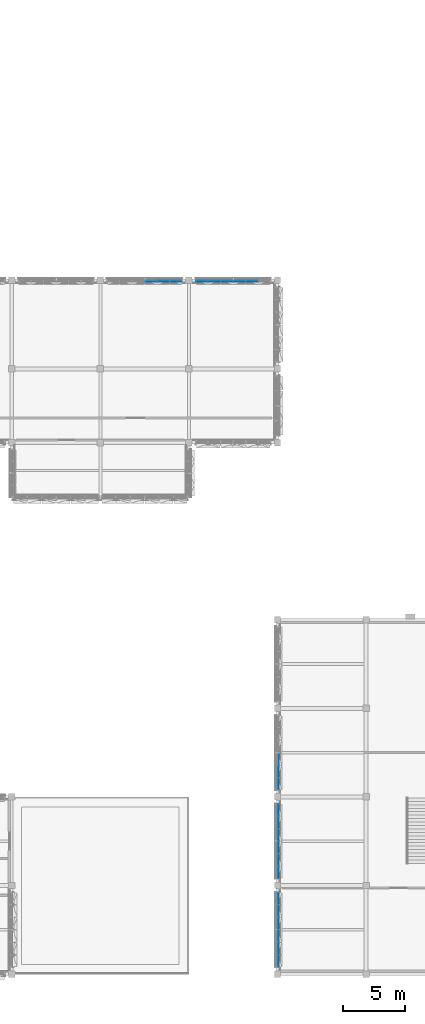
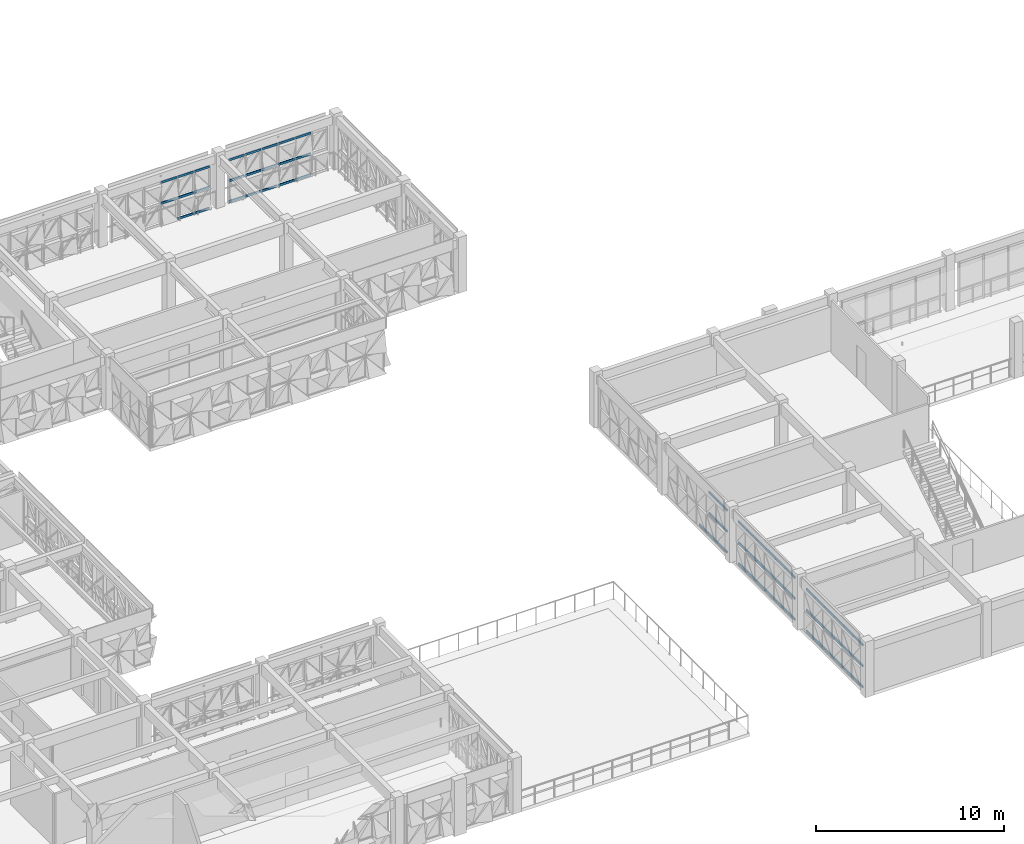
# One storey, part 26 of 99: 66 members, 5 elements without a shape of their own.
"""IFC4 building model written with IfcOpenShell, lengths in metres."""

from ifc_helpers import new_model, si_unit, direction, frame, origin, origin_2d, place, context, subcontext, project, spatial, rectangle, extrude, material, material_profile, profile_set, type_object, element, aggregate, save


model = new_model("IFC4")

# Units and contexts
model_context = context("Model", 3, precision=1e-05, world=origin(), true_north=direction((0.0, 1.0)))
body_context = subcontext(model_context, "Body", "Model", "MODEL_VIEW")
ifc_project = project(units=[si_unit("LENGTHUNIT", "METRE"), si_unit("AREAUNIT", "SQUARE_METRE"), si_unit("VOLUMEUNIT", "CUBIC_METRE"), si_unit("PLANEANGLEUNIT", "RADIAN"), si_unit("MASSUNIT", "GRAM", prefix="KILO")], contexts=[model_context])

# Site, building, storey
site_placement = place(None, origin())
site = spatial("IfcSite", under=ifc_project, at=site_placement, CompositionType="ELEMENT")
building_placement = place(site_placement, origin())
building = spatial("IfcBuilding", under=site, at=building_placement, Name="Alvorim Cloister Faculty of Sciences", CompositionType="ELEMENT")
storey_placement = place(building_placement, frame((0.0, 0.0, 12.14990234375)))
storey = spatial("IfcBuildingStorey", under=building, at=storey_placement, Name="L03", CompositionType="ELEMENT", Elevation=12.14990234375)

# Curtain wall, members
ifc_material_1 = material(Name="Aluminium and Low-E Glass Curtain Wall", Category="aluminium")
curtain_wall_type = type_object("IfcCurtainWallType", Name="CW-TRI-6120x2850", PredefinedType="USERDEFINED", material=ifc_material_1)
curtain_wall_1_placement = place(storey_placement, origin())
curtain_wall_1 = element("IfcCurtainWall", 1, at=curtain_wall_1_placement, inside=storey, type_object=curtain_wall_type, Name="L03 Diagonal Cassette Curtain Wall CW-0128", ObjectType="UNITISED CURTAIN WALL", PredefinedType="USERDEFINED")
ifc_material_2 = material(Name="Aluminium Alloy 6063-T6", Category="aluminium")
ifc_material_profile = material_profile(ifc_material_2, rectangle(XDim=0.06494140625, YDim=0.139892578125, at=origin_2d()), Name="ALU-TRN-65x140")
ifc_profile_set = profile_set([ifc_material_profile], Name="Aluminium Alloy 6063-T6")
member_type = type_object("IfcMemberType", Name="CW-TRN-65x140", PredefinedType="USERDEFINED", material=ifc_profile_set)
member_1_placement = place(storey_placement, frame((54.032470703125, 56.31005859375, 1.425048828125), z_axis=(1.0, 0.0, 0.0), x_axis=(0.0, 1.0, 0.0)))
member_1 = element("IfcMember", 2, at=member_1_placement, type_object=member_type, Name="CW-0128 Transom 4.2", ObjectType="TRANSOM", PredefinedType="USERDEFINED", context=body_context, shape_type="SweptSolid", body=[
    extrude(rectangle(XDim=0.06494140625, YDim=0.139892578125, at=origin_2d()), origin(), (0.0, 0.0, 1.0), 0.955078125),
])
member_2_placement = place(storey_placement, frame((54.032470703125, 56.31005859375, 2.780029296875), z_axis=(1.0, 0.0, 0.0), x_axis=(0.0, 1.0, 0.0)))
member_2 = element("IfcMember", 3, at=member_2_placement, type_object=member_type, Name="CW-0128 Transom 4.3", ObjectType="TRANSOM", PredefinedType="USERDEFINED", context=body_context, shape_type="SweptSolid", body=[
    extrude(rectangle(XDim=0.06494140625, YDim=0.139892578125, at=origin_2d()), origin(), (0.0, 0.0, 1.0), 0.955078125),
])
member_3_placement = place(storey_placement, frame((55.052490234375, 56.31005859375, 0.070068359375), z_axis=(1.0, 0.0, 0.0), x_axis=(0.0, 1.0, 0.0)))
member_3 = element("IfcMember", 4, at=member_3_placement, type_object=member_type, Name="CW-0128 Transom 5.1", ObjectType="TRANSOM", PredefinedType="USERDEFINED", context=body_context, shape_type="SweptSolid", body=[
    extrude(rectangle(XDim=0.06494140625, YDim=0.139892578125, at=origin_2d()), origin(), (0.0, 0.0, 1.0), 0.955078125),
])
member_4_placement = place(storey_placement, frame((55.052490234375, 56.31005859375, 1.425048828125), z_axis=(1.0, 0.0, 0.0), x_axis=(0.0, 1.0, 0.0)))
member_4 = element("IfcMember", 5, at=member_4_placement, type_object=member_type, Name="CW-0128 Transom 5.2", ObjectType="TRANSOM", PredefinedType="USERDEFINED", context=body_context, shape_type="SweptSolid", body=[
    extrude(rectangle(XDim=0.06494140625, YDim=0.139892578125, at=origin_2d()), origin(), (0.0, 0.0, 1.0), 0.955078125),
])
member_5_placement = place(storey_placement, frame((55.052490234375, 56.31005859375, 2.780029296875), z_axis=(1.0, 0.0, 0.0), x_axis=(0.0, 1.0, 0.0)))
member_5 = element("IfcMember", 6, at=member_5_placement, type_object=member_type, Name="CW-0128 Transom 5.3", ObjectType="TRANSOM", PredefinedType="USERDEFINED", context=body_context, shape_type="SweptSolid", body=[
    extrude(rectangle(XDim=0.06494140625, YDim=0.139892578125, at=origin_2d()), origin(), (0.0, 0.0, 1.0), 0.955078125),
])
member_6_placement = place(storey_placement, frame((56.072509765625, 56.31005859375, 0.070068359375), z_axis=(1.0, 0.0, 0.0), x_axis=(0.0, 1.0, 0.0)))
member_6 = element("IfcMember", 7, at=member_6_placement, type_object=member_type, Name="CW-0128 Transom 6.1", ObjectType="TRANSOM", PredefinedType="USERDEFINED", context=body_context, shape_type="SweptSolid", body=[
    extrude(rectangle(XDim=0.06494140625, YDim=0.139892578125, at=origin_2d()), origin(), (0.0, 0.0, 1.0), 0.922607421875),
])
member_7_placement = place(storey_placement, frame((56.072509765625, 56.31005859375, 1.425048828125), z_axis=(1.0, 0.0, 0.0), x_axis=(0.0, 1.0, 0.0)))
member_7 = element("IfcMember", 8, at=member_7_placement, type_object=member_type, Name="CW-0128 Transom 6.2", ObjectType="TRANSOM", PredefinedType="USERDEFINED", context=body_context, shape_type="SweptSolid", body=[
    extrude(rectangle(XDim=0.06494140625, YDim=0.139892578125, at=origin_2d()), origin(), (0.0, 0.0, 1.0), 0.922607421875),
])
member_8_placement = place(storey_placement, frame((56.072509765625, 56.31005859375, 2.780029296875), z_axis=(1.0, 0.0, 0.0), x_axis=(0.0, 1.0, 0.0)))
member_8 = element("IfcMember", 9, at=member_8_placement, type_object=member_type, Name="CW-0128 Transom 6.3", ObjectType="TRANSOM", PredefinedType="USERDEFINED", context=body_context, shape_type="SweptSolid", body=[
    extrude(rectangle(XDim=0.06494140625, YDim=0.139892578125, at=origin_2d()), origin(), (0.0, 0.0, 1.0), 0.922607421875),
])
aggregate(curtain_wall_1, [member_1, member_2, member_3, member_4, member_5, member_6, member_7, member_8])

curtain_wall_2_placement = place(storey_placement, origin())
curtain_wall_2 = element("IfcCurtainWall", 10, at=curtain_wall_2_placement, inside=storey, type_object=curtain_wall_type, Name="L03 Diagonal Cassette Curtain Wall CW-0129", ObjectType="UNITISED CURTAIN WALL", PredefinedType="USERDEFINED")
member_9_placement = place(storey_placement, frame((58.205078125, 56.31005859375, 0.070068359375), z_axis=(1.0, 0.0, 0.0), x_axis=(0.0, 1.0, 0.0)))
member_9 = element("IfcMember", 11, at=member_9_placement, type_object=member_type, Name="CW-0129 Transom 1.1", ObjectType="TRANSOM", PredefinedType="USERDEFINED", context=body_context, shape_type="SweptSolid", body=[
    extrude(rectangle(XDim=0.06494140625, YDim=0.139892578125, at=origin_2d()), origin(), (0.0, 0.0, 1.0), 0.92236328125),
])
member_10_placement = place(storey_placement, frame((58.205078125, 56.31005859375, 1.425048828125), z_axis=(1.0, 0.0, 0.0), x_axis=(0.0, 1.0, 0.0)))
member_10 = element("IfcMember", 12, at=member_10_placement, type_object=member_type, Name="CW-0129 Transom 1.2", ObjectType="TRANSOM", PredefinedType="USERDEFINED", context=body_context, shape_type="SweptSolid", body=[
    extrude(rectangle(XDim=0.06494140625, YDim=0.139892578125, at=origin_2d()), origin(), (0.0, 0.0, 1.0), 0.92236328125),
])
member_11_placement = place(storey_placement, frame((58.205078125, 56.31005859375, 2.780029296875), z_axis=(1.0, 0.0, 0.0), x_axis=(0.0, 1.0, 0.0)))
member_11 = element("IfcMember", 13, at=member_11_placement, type_object=member_type, Name="CW-0129 Transom 1.3", ObjectType="TRANSOM", PredefinedType="USERDEFINED", context=body_context, shape_type="SweptSolid", body=[
    extrude(rectangle(XDim=0.06494140625, YDim=0.139892578125, at=origin_2d()), origin(), (0.0, 0.0, 1.0), 0.92236328125),
])
member_12_placement = place(storey_placement, frame((59.1923828125, 56.31005859375, 0.070068359375), z_axis=(1.0, 0.0, 0.0), x_axis=(0.0, 1.0, 0.0)))
member_12 = element("IfcMember", 14, at=member_12_placement, type_object=member_type, Name="CW-0129 Transom 2.1", ObjectType="TRANSOM", PredefinedType="USERDEFINED", context=body_context, shape_type="SweptSolid", body=[
    extrude(rectangle(XDim=0.06494140625, YDim=0.139892578125, at=origin_2d()), origin(), (0.0, 0.0, 1.0), 0.955078125),
])
member_13_placement = place(storey_placement, frame((59.1923828125, 56.31005859375, 1.425048828125), z_axis=(1.0, 0.0, 0.0), x_axis=(0.0, 1.0, 0.0)))
member_13 = element("IfcMember", 15, at=member_13_placement, type_object=member_type, Name="CW-0129 Transom 2.2", ObjectType="TRANSOM", PredefinedType="USERDEFINED", context=body_context, shape_type="SweptSolid", body=[
    extrude(rectangle(XDim=0.06494140625, YDim=0.139892578125, at=origin_2d()), origin(), (0.0, 0.0, 1.0), 0.955078125),
])
member_14_placement = place(storey_placement, frame((59.1923828125, 56.31005859375, 2.780029296875), z_axis=(1.0, 0.0, 0.0), x_axis=(0.0, 1.0, 0.0)))
member_14 = element("IfcMember", 16, at=member_14_placement, type_object=member_type, Name="CW-0129 Transom 2.3", ObjectType="TRANSOM", PredefinedType="USERDEFINED", context=body_context, shape_type="SweptSolid", body=[
    extrude(rectangle(XDim=0.06494140625, YDim=0.139892578125, at=origin_2d()), origin(), (0.0, 0.0, 1.0), 0.955078125),
])
member_15_placement = place(storey_placement, frame((60.21240234375, 56.31005859375, 0.070068359375), z_axis=(1.0, 0.0, 0.0), x_axis=(0.0, 1.0, 0.0)))
member_15 = element("IfcMember", 17, at=member_15_placement, type_object=member_type, Name="CW-0129 Transom 3.1", ObjectType="TRANSOM", PredefinedType="USERDEFINED", context=body_context, shape_type="SweptSolid", body=[
    extrude(rectangle(XDim=0.06494140625, YDim=0.139892578125, at=origin_2d()), origin(), (0.0, 0.0, 1.0), 0.955078125),
])
member_16_placement = place(storey_placement, frame((60.21240234375, 56.31005859375, 1.425048828125), z_axis=(1.0, 0.0, 0.0), x_axis=(0.0, 1.0, 0.0)))
member_16 = element("IfcMember", 18, at=member_16_placement, type_object=member_type, Name="CW-0129 Transom 3.2", ObjectType="TRANSOM", PredefinedType="USERDEFINED", context=body_context, shape_type="SweptSolid", body=[
    extrude(rectangle(XDim=0.06494140625, YDim=0.139892578125, at=origin_2d()), origin(), (0.0, 0.0, 1.0), 0.955078125),
])
member_17_placement = place(storey_placement, frame((60.21240234375, 56.31005859375, 2.780029296875), z_axis=(1.0, 0.0, 0.0), x_axis=(0.0, 1.0, 0.0)))
member_17 = element("IfcMember", 19, at=member_17_placement, type_object=member_type, Name="CW-0129 Transom 3.3", ObjectType="TRANSOM", PredefinedType="USERDEFINED", context=body_context, shape_type="SweptSolid", body=[
    extrude(rectangle(XDim=0.06494140625, YDim=0.139892578125, at=origin_2d()), origin(), (0.0, 0.0, 1.0), 0.955078125),
])
member_18_placement = place(storey_placement, frame((61.232421875, 56.31005859375, 0.070068359375), z_axis=(1.0, 0.0, 0.0), x_axis=(0.0, 1.0, 0.0)))
member_18 = element("IfcMember", 20, at=member_18_placement, type_object=member_type, Name="CW-0129 Transom 4.1", ObjectType="TRANSOM", PredefinedType="USERDEFINED", context=body_context, shape_type="SweptSolid", body=[
    extrude(rectangle(XDim=0.06494140625, YDim=0.139892578125, at=origin_2d()), origin(), (0.0, 0.0, 1.0), 0.955078125),
])
member_19_placement = place(storey_placement, frame((61.232421875, 56.31005859375, 1.425048828125), z_axis=(1.0, 0.0, 0.0), x_axis=(0.0, 1.0, 0.0)))
member_19 = element("IfcMember", 21, at=member_19_placement, type_object=member_type, Name="CW-0129 Transom 4.2", ObjectType="TRANSOM", PredefinedType="USERDEFINED", context=body_context, shape_type="SweptSolid", body=[
    extrude(rectangle(XDim=0.06494140625, YDim=0.139892578125, at=origin_2d()), origin(), (0.0, 0.0, 1.0), 0.955078125),
])
member_20_placement = place(storey_placement, frame((61.232421875, 56.31005859375, 2.780029296875), z_axis=(1.0, 0.0, 0.0), x_axis=(0.0, 1.0, 0.0)))
member_20 = element("IfcMember", 22, at=member_20_placement, type_object=member_type, Name="CW-0129 Transom 4.3", ObjectType="TRANSOM", PredefinedType="USERDEFINED", context=body_context, shape_type="SweptSolid", body=[
    extrude(rectangle(XDim=0.06494140625, YDim=0.139892578125, at=origin_2d()), origin(), (0.0, 0.0, 1.0), 0.955078125),
])
member_21_placement = place(storey_placement, frame((62.25244140625, 56.31005859375, 0.070068359375), z_axis=(1.0, 0.0, 0.0), x_axis=(0.0, 1.0, 0.0)))
member_21 = element("IfcMember", 23, at=member_21_placement, type_object=member_type, Name="CW-0129 Transom 5.1", ObjectType="TRANSOM", PredefinedType="USERDEFINED", context=body_context, shape_type="SweptSolid", body=[
    extrude(rectangle(XDim=0.06494140625, YDim=0.139892578125, at=origin_2d()), origin(), (0.0, 0.0, 1.0), 0.955078125),
])
member_22_placement = place(storey_placement, frame((62.25244140625, 56.31005859375, 1.425048828125), z_axis=(1.0, 0.0, 0.0), x_axis=(0.0, 1.0, 0.0)))
member_22 = element("IfcMember", 24, at=member_22_placement, type_object=member_type, Name="CW-0129 Transom 5.2", ObjectType="TRANSOM", PredefinedType="USERDEFINED", context=body_context, shape_type="SweptSolid", body=[
    extrude(rectangle(XDim=0.06494140625, YDim=0.139892578125, at=origin_2d()), origin(), (0.0, 0.0, 1.0), 0.955078125),
])
member_23_placement = place(storey_placement, frame((62.25244140625, 56.31005859375, 2.780029296875), z_axis=(1.0, 0.0, 0.0), x_axis=(0.0, 1.0, 0.0)))
member_23 = element("IfcMember", 25, at=member_23_placement, type_object=member_type, Name="CW-0129 Transom 5.3", ObjectType="TRANSOM", PredefinedType="USERDEFINED", context=body_context, shape_type="SweptSolid", body=[
    extrude(rectangle(XDim=0.06494140625, YDim=0.139892578125, at=origin_2d()), origin(), (0.0, 0.0, 1.0), 0.955078125),
])
aggregate(curtain_wall_2, [member_9, member_10, member_11, member_12, member_13, member_14, member_15, member_16, member_17, member_18, member_19, member_20, member_21, member_22, member_23])

curtain_wall_3_placement = place(storey_placement, origin())
curtain_wall_3 = element("IfcCurtainWall", 26, at=curtain_wall_3_placement, inside=storey, type_object=curtain_wall_type, Name="L03 Diagonal Cassette Curtain Wall CW-0158", ObjectType="UNITISED CURTAIN WALL", PredefinedType="USERDEFINED")
member_24_placement = place(storey_placement, frame((64.889892578125, 0.60498046875, 0.070068359375), z_axis=(0.0, 1.0, 0.0), x_axis=(-1.0, 0.0, 0.0)))
member_24 = element("IfcMember", 27, at=member_24_placement, type_object=member_type, Name="CW-0158 Transom 1.1", ObjectType="TRANSOM", PredefinedType="USERDEFINED", context=body_context, shape_type="SweptSolid", body=[
    extrude(rectangle(XDim=0.06494140625, YDim=0.139892578125, at=origin_2d()), origin(), (0.0, 0.0, 1.0), 0.922607421875),
])
member_25_placement = place(storey_placement, frame((64.889892578125, 0.60498046875, 1.425048828125), z_axis=(0.0, 1.0, 0.0), x_axis=(-1.0, 0.0, 0.0)))
member_25 = element("IfcMember", 28, at=member_25_placement, type_object=member_type, Name="CW-0158 Transom 1.2", ObjectType="TRANSOM", PredefinedType="USERDEFINED", context=body_context, shape_type="SweptSolid", body=[
    extrude(rectangle(XDim=0.06494140625, YDim=0.139892578125, at=origin_2d()), origin(), (0.0, 0.0, 1.0), 0.922607421875),
])
member_26_placement = place(storey_placement, frame((64.889892578125, 0.60498046875, 2.780029296875), z_axis=(0.0, 1.0, 0.0), x_axis=(-1.0, 0.0, 0.0)))
member_26 = element("IfcMember", 29, at=member_26_placement, type_object=member_type, Name="CW-0158 Transom 1.3", ObjectType="TRANSOM", PredefinedType="USERDEFINED", context=body_context, shape_type="SweptSolid", body=[
    extrude(rectangle(XDim=0.06494140625, YDim=0.139892578125, at=origin_2d()), origin(), (0.0, 0.0, 1.0), 0.922607421875),
])
member_27_placement = place(storey_placement, frame((64.889892578125, 1.592529296875, 0.070068359375), z_axis=(0.0, 1.0, 0.0), x_axis=(-1.0, 0.0, 0.0)))
member_27 = element("IfcMember", 30, at=member_27_placement, type_object=member_type, Name="CW-0158 Transom 2.1", ObjectType="TRANSOM", PredefinedType="USERDEFINED", context=body_context, shape_type="SweptSolid", body=[
    extrude(rectangle(XDim=0.06494140625, YDim=0.139892578125, at=origin_2d()), origin(), (0.0, 0.0, 1.0), 0.955078125),
])
member_28_placement = place(storey_placement, frame((64.889892578125, 1.592529296875, 1.425048828125), z_axis=(0.0, 1.0, 0.0), x_axis=(-1.0, 0.0, 0.0)))
member_28 = element("IfcMember", 31, at=member_28_placement, type_object=member_type, Name="CW-0158 Transom 2.2", ObjectType="TRANSOM", PredefinedType="USERDEFINED", context=body_context, shape_type="SweptSolid", body=[
    extrude(rectangle(XDim=0.06494140625, YDim=0.139892578125, at=origin_2d()), origin(), (0.0, 0.0, 1.0), 0.955078125),
])
member_29_placement = place(storey_placement, frame((64.889892578125, 1.592529296875, 2.780029296875), z_axis=(0.0, 1.0, 0.0), x_axis=(-1.0, 0.0, 0.0)))
member_29 = element("IfcMember", 32, at=member_29_placement, type_object=member_type, Name="CW-0158 Transom 2.3", ObjectType="TRANSOM", PredefinedType="USERDEFINED", context=body_context, shape_type="SweptSolid", body=[
    extrude(rectangle(XDim=0.06494140625, YDim=0.139892578125, at=origin_2d()), origin(), (0.0, 0.0, 1.0), 0.955078125),
])
member_30_placement = place(storey_placement, frame((64.889892578125, 2.612548828125, 0.070068359375), z_axis=(0.0, 1.0, 0.0), x_axis=(-1.0, 0.0, 0.0)))
member_30 = element("IfcMember", 33, at=member_30_placement, type_object=member_type, Name="CW-0158 Transom 3.1", ObjectType="TRANSOM", PredefinedType="USERDEFINED", context=body_context, shape_type="SweptSolid", body=[
    extrude(rectangle(XDim=0.06494140625, YDim=0.139892578125, at=origin_2d()), origin(), (0.0, 0.0, 1.0), 0.954833984375),
])
member_31_placement = place(storey_placement, frame((64.889892578125, 2.612548828125, 1.425048828125), z_axis=(0.0, 1.0, 0.0), x_axis=(-1.0, 0.0, 0.0)))
member_31 = element("IfcMember", 34, at=member_31_placement, type_object=member_type, Name="CW-0158 Transom 3.2", ObjectType="TRANSOM", PredefinedType="USERDEFINED", context=body_context, shape_type="SweptSolid", body=[
    extrude(rectangle(XDim=0.06494140625, YDim=0.139892578125, at=origin_2d()), origin(), (0.0, 0.0, 1.0), 0.954833984375),
])
member_32_placement = place(storey_placement, frame((64.889892578125, 2.612548828125, 2.780029296875), z_axis=(0.0, 1.0, 0.0), x_axis=(-1.0, 0.0, 0.0)))
member_32 = element("IfcMember", 35, at=member_32_placement, type_object=member_type, Name="CW-0158 Transom 3.3", ObjectType="TRANSOM", PredefinedType="USERDEFINED", context=body_context, shape_type="SweptSolid", body=[
    extrude(rectangle(XDim=0.06494140625, YDim=0.139892578125, at=origin_2d()), origin(), (0.0, 0.0, 1.0), 0.954833984375),
])
member_33_placement = place(storey_placement, frame((64.889892578125, 3.632568359375, 0.070068359375), z_axis=(0.0, 1.0, 0.0), x_axis=(-1.0, 0.0, 0.0)))
member_33 = element("IfcMember", 36, at=member_33_placement, type_object=member_type, Name="CW-0158 Transom 4.1", ObjectType="TRANSOM", PredefinedType="USERDEFINED", context=body_context, shape_type="SweptSolid", body=[
    extrude(rectangle(XDim=0.06494140625, YDim=0.139892578125, at=origin_2d()), origin(), (0.0, 0.0, 1.0), 0.954833984375),
])
member_34_placement = place(storey_placement, frame((64.889892578125, 3.632568359375, 1.425048828125), z_axis=(0.0, 1.0, 0.0), x_axis=(-1.0, 0.0, 0.0)))
member_34 = element("IfcMember", 37, at=member_34_placement, type_object=member_type, Name="CW-0158 Transom 4.2", ObjectType="TRANSOM", PredefinedType="USERDEFINED", context=body_context, shape_type="SweptSolid", body=[
    extrude(rectangle(XDim=0.06494140625, YDim=0.139892578125, at=origin_2d()), origin(), (0.0, 0.0, 1.0), 0.954833984375),
])
member_35_placement = place(storey_placement, frame((64.889892578125, 3.632568359375, 2.780029296875), z_axis=(0.0, 1.0, 0.0), x_axis=(-1.0, 0.0, 0.0)))
member_35 = element("IfcMember", 38, at=member_35_placement, type_object=member_type, Name="CW-0158 Transom 4.3", ObjectType="TRANSOM", PredefinedType="USERDEFINED", context=body_context, shape_type="SweptSolid", body=[
    extrude(rectangle(XDim=0.06494140625, YDim=0.139892578125, at=origin_2d()), origin(), (0.0, 0.0, 1.0), 0.954833984375),
])
member_36_placement = place(storey_placement, frame((64.889892578125, 4.652587890625, 0.070068359375), z_axis=(0.0, 1.0, 0.0), x_axis=(-1.0, 0.0, 0.0)))
member_36 = element("IfcMember", 39, at=member_36_placement, type_object=member_type, Name="CW-0158 Transom 5.1", ObjectType="TRANSOM", PredefinedType="USERDEFINED", context=body_context, shape_type="SweptSolid", body=[
    extrude(rectangle(XDim=0.06494140625, YDim=0.139892578125, at=origin_2d()), origin(), (0.0, 0.0, 1.0), 0.954833984375),
])
member_37_placement = place(storey_placement, frame((64.889892578125, 4.652587890625, 1.425048828125), z_axis=(0.0, 1.0, 0.0), x_axis=(-1.0, 0.0, 0.0)))
member_37 = element("IfcMember", 40, at=member_37_placement, type_object=member_type, Name="CW-0158 Transom 5.2", ObjectType="TRANSOM", PredefinedType="USERDEFINED", context=body_context, shape_type="SweptSolid", body=[
    extrude(rectangle(XDim=0.06494140625, YDim=0.139892578125, at=origin_2d()), origin(), (0.0, 0.0, 1.0), 0.954833984375),
])
member_38_placement = place(storey_placement, frame((64.889892578125, 4.652587890625, 2.780029296875), z_axis=(0.0, 1.0, 0.0), x_axis=(-1.0, 0.0, 0.0)))
member_38 = element("IfcMember", 41, at=member_38_placement, type_object=member_type, Name="CW-0158 Transom 5.3", ObjectType="TRANSOM", PredefinedType="USERDEFINED", context=body_context, shape_type="SweptSolid", body=[
    extrude(rectangle(XDim=0.06494140625, YDim=0.139892578125, at=origin_2d()), origin(), (0.0, 0.0, 1.0), 0.954833984375),
])
member_39_placement = place(storey_placement, frame((64.889892578125, 5.672607421875, 0.070068359375), z_axis=(0.0, 1.0, 0.0), x_axis=(-1.0, 0.0, 0.0)))
member_39 = element("IfcMember", 42, at=member_39_placement, type_object=member_type, Name="CW-0158 Transom 6.1", ObjectType="TRANSOM", PredefinedType="USERDEFINED", context=body_context, shape_type="SweptSolid", body=[
    extrude(rectangle(XDim=0.06494140625, YDim=0.139892578125, at=origin_2d()), origin(), (0.0, 0.0, 1.0), 0.92236328125),
])
member_40_placement = place(storey_placement, frame((64.889892578125, 5.672607421875, 1.425048828125), z_axis=(0.0, 1.0, 0.0), x_axis=(-1.0, 0.0, 0.0)))
member_40 = element("IfcMember", 43, at=member_40_placement, type_object=member_type, Name="CW-0158 Transom 6.2", ObjectType="TRANSOM", PredefinedType="USERDEFINED", context=body_context, shape_type="SweptSolid", body=[
    extrude(rectangle(XDim=0.06494140625, YDim=0.139892578125, at=origin_2d()), origin(), (0.0, 0.0, 1.0), 0.92236328125),
])
member_41_placement = place(storey_placement, frame((64.889892578125, 5.672607421875, 2.780029296875), z_axis=(0.0, 1.0, 0.0), x_axis=(-1.0, 0.0, 0.0)))
member_41 = element("IfcMember", 44, at=member_41_placement, type_object=member_type, Name="CW-0158 Transom 6.3", ObjectType="TRANSOM", PredefinedType="USERDEFINED", context=body_context, shape_type="SweptSolid", body=[
    extrude(rectangle(XDim=0.06494140625, YDim=0.139892578125, at=origin_2d()), origin(), (0.0, 0.0, 1.0), 0.92236328125),
])
aggregate(curtain_wall_3, [member_24, member_25, member_26, member_27, member_28, member_29, member_30, member_31, member_32, member_33, member_34, member_35, member_36, member_37, member_38, member_39, member_40, member_41])

curtain_wall_4_placement = place(storey_placement, origin())
curtain_wall_4 = element("IfcCurtainWall", 45, at=curtain_wall_4_placement, inside=storey, type_object=curtain_wall_type, Name="L03 Diagonal Cassette Curtain Wall CW-0159", ObjectType="UNITISED CURTAIN WALL", PredefinedType="USERDEFINED")
member_42_placement = place(storey_placement, frame((64.889892578125, 7.804931640625, 0.070068359375), z_axis=(0.0, 1.0, 0.0), x_axis=(-1.0, 0.0, 0.0)))
member_42 = element("IfcMember", 46, at=member_42_placement, type_object=member_type, Name="CW-0159 Transom 1.1", ObjectType="TRANSOM", PredefinedType="USERDEFINED", context=body_context, shape_type="SweptSolid", body=[
    extrude(rectangle(XDim=0.06494140625, YDim=0.139892578125, at=origin_2d()), origin(), (0.0, 0.0, 1.0), 0.922607421875),
])
member_43_placement = place(storey_placement, frame((64.889892578125, 7.804931640625, 1.425048828125), z_axis=(0.0, 1.0, 0.0), x_axis=(-1.0, 0.0, 0.0)))
member_43 = element("IfcMember", 47, at=member_43_placement, type_object=member_type, Name="CW-0159 Transom 1.2", ObjectType="TRANSOM", PredefinedType="USERDEFINED", context=body_context, shape_type="SweptSolid", body=[
    extrude(rectangle(XDim=0.06494140625, YDim=0.139892578125, at=origin_2d()), origin(), (0.0, 0.0, 1.0), 0.922607421875),
])
member_44_placement = place(storey_placement, frame((64.889892578125, 7.804931640625, 2.780029296875), z_axis=(0.0, 1.0, 0.0), x_axis=(-1.0, 0.0, 0.0)))
member_44 = element("IfcMember", 48, at=member_44_placement, type_object=member_type, Name="CW-0159 Transom 1.3", ObjectType="TRANSOM", PredefinedType="USERDEFINED", context=body_context, shape_type="SweptSolid", body=[
    extrude(rectangle(XDim=0.06494140625, YDim=0.139892578125, at=origin_2d()), origin(), (0.0, 0.0, 1.0), 0.922607421875),
])
member_45_placement = place(storey_placement, frame((64.889892578125, 8.79248046875, 0.070068359375), z_axis=(0.0, 1.0, 0.0), x_axis=(-1.0, 0.0, 0.0)))
member_45 = element("IfcMember", 49, at=member_45_placement, type_object=member_type, Name="CW-0159 Transom 2.1", ObjectType="TRANSOM", PredefinedType="USERDEFINED", context=body_context, shape_type="SweptSolid", body=[
    extrude(rectangle(XDim=0.06494140625, YDim=0.139892578125, at=origin_2d()), origin(), (0.0, 0.0, 1.0), 0.955078125),
])
member_46_placement = place(storey_placement, frame((64.889892578125, 8.79248046875, 1.425048828125), z_axis=(0.0, 1.0, 0.0), x_axis=(-1.0, 0.0, 0.0)))
member_46 = element("IfcMember", 50, at=member_46_placement, type_object=member_type, Name="CW-0159 Transom 2.2", ObjectType="TRANSOM", PredefinedType="USERDEFINED", context=body_context, shape_type="SweptSolid", body=[
    extrude(rectangle(XDim=0.06494140625, YDim=0.139892578125, at=origin_2d()), origin(), (0.0, 0.0, 1.0), 0.955078125),
])
member_47_placement = place(storey_placement, frame((64.889892578125, 8.79248046875, 2.780029296875), z_axis=(0.0, 1.0, 0.0), x_axis=(-1.0, 0.0, 0.0)))
member_47 = element("IfcMember", 51, at=member_47_placement, type_object=member_type, Name="CW-0159 Transom 2.3", ObjectType="TRANSOM", PredefinedType="USERDEFINED", context=body_context, shape_type="SweptSolid", body=[
    extrude(rectangle(XDim=0.06494140625, YDim=0.139892578125, at=origin_2d()), origin(), (0.0, 0.0, 1.0), 0.955078125),
])
member_48_placement = place(storey_placement, frame((64.889892578125, 9.8125, 0.070068359375), z_axis=(0.0, 1.0, 0.0), x_axis=(-1.0, 0.0, 0.0)))
member_48 = element("IfcMember", 52, at=member_48_placement, type_object=member_type, Name="CW-0159 Transom 3.1", ObjectType="TRANSOM", PredefinedType="USERDEFINED", context=body_context, shape_type="SweptSolid", body=[
    extrude(rectangle(XDim=0.06494140625, YDim=0.139892578125, at=origin_2d()), origin(), (0.0, 0.0, 1.0), 0.955078125),
])
member_49_placement = place(storey_placement, frame((64.889892578125, 9.8125, 1.425048828125), z_axis=(0.0, 1.0, 0.0), x_axis=(-1.0, 0.0, 0.0)))
member_49 = element("IfcMember", 53, at=member_49_placement, type_object=member_type, Name="CW-0159 Transom 3.2", ObjectType="TRANSOM", PredefinedType="USERDEFINED", context=body_context, shape_type="SweptSolid", body=[
    extrude(rectangle(XDim=0.06494140625, YDim=0.139892578125, at=origin_2d()), origin(), (0.0, 0.0, 1.0), 0.955078125),
])
member_50_placement = place(storey_placement, frame((64.889892578125, 9.8125, 2.780029296875), z_axis=(0.0, 1.0, 0.0), x_axis=(-1.0, 0.0, 0.0)))
member_50 = element("IfcMember", 54, at=member_50_placement, type_object=member_type, Name="CW-0159 Transom 3.3", ObjectType="TRANSOM", PredefinedType="USERDEFINED", context=body_context, shape_type="SweptSolid", body=[
    extrude(rectangle(XDim=0.06494140625, YDim=0.139892578125, at=origin_2d()), origin(), (0.0, 0.0, 1.0), 0.955078125),
])
member_51_placement = place(storey_placement, frame((64.889892578125, 10.83251953125, 0.070068359375), z_axis=(0.0, 1.0, 0.0), x_axis=(-1.0, 0.0, 0.0)))
member_51 = element("IfcMember", 55, at=member_51_placement, type_object=member_type, Name="CW-0159 Transom 4.1", ObjectType="TRANSOM", PredefinedType="USERDEFINED", context=body_context, shape_type="SweptSolid", body=[
    extrude(rectangle(XDim=0.06494140625, YDim=0.139892578125, at=origin_2d()), origin(), (0.0, 0.0, 1.0), 0.955078125),
])
member_52_placement = place(storey_placement, frame((64.889892578125, 10.83251953125, 1.425048828125), z_axis=(0.0, 1.0, 0.0), x_axis=(-1.0, 0.0, 0.0)))
member_52 = element("IfcMember", 56, at=member_52_placement, type_object=member_type, Name="CW-0159 Transom 4.2", ObjectType="TRANSOM", PredefinedType="USERDEFINED", context=body_context, shape_type="SweptSolid", body=[
    extrude(rectangle(XDim=0.06494140625, YDim=0.139892578125, at=origin_2d()), origin(), (0.0, 0.0, 1.0), 0.955078125),
])
member_53_placement = place(storey_placement, frame((64.889892578125, 10.83251953125, 2.780029296875), z_axis=(0.0, 1.0, 0.0), x_axis=(-1.0, 0.0, 0.0)))
member_53 = element("IfcMember", 57, at=member_53_placement, type_object=member_type, Name="CW-0159 Transom 4.3", ObjectType="TRANSOM", PredefinedType="USERDEFINED", context=body_context, shape_type="SweptSolid", body=[
    extrude(rectangle(XDim=0.06494140625, YDim=0.139892578125, at=origin_2d()), origin(), (0.0, 0.0, 1.0), 0.955078125),
])
member_54_placement = place(storey_placement, frame((64.889892578125, 11.8525390625, 0.070068359375), z_axis=(0.0, 1.0, 0.0), x_axis=(-1.0, 0.0, 0.0)))
member_54 = element("IfcMember", 58, at=member_54_placement, type_object=member_type, Name="CW-0159 Transom 5.1", ObjectType="TRANSOM", PredefinedType="USERDEFINED", context=body_context, shape_type="SweptSolid", body=[
    extrude(rectangle(XDim=0.06494140625, YDim=0.139892578125, at=origin_2d()), origin(), (0.0, 0.0, 1.0), 0.955078125),
])
member_55_placement = place(storey_placement, frame((64.889892578125, 11.8525390625, 1.425048828125), z_axis=(0.0, 1.0, 0.0), x_axis=(-1.0, 0.0, 0.0)))
member_55 = element("IfcMember", 59, at=member_55_placement, type_object=member_type, Name="CW-0159 Transom 5.2", ObjectType="TRANSOM", PredefinedType="USERDEFINED", context=body_context, shape_type="SweptSolid", body=[
    extrude(rectangle(XDim=0.06494140625, YDim=0.139892578125, at=origin_2d()), origin(), (0.0, 0.0, 1.0), 0.955078125),
])
member_56_placement = place(storey_placement, frame((64.889892578125, 11.8525390625, 2.780029296875), z_axis=(0.0, 1.0, 0.0), x_axis=(-1.0, 0.0, 0.0)))
member_56 = element("IfcMember", 60, at=member_56_placement, type_object=member_type, Name="CW-0159 Transom 5.3", ObjectType="TRANSOM", PredefinedType="USERDEFINED", context=body_context, shape_type="SweptSolid", body=[
    extrude(rectangle(XDim=0.06494140625, YDim=0.139892578125, at=origin_2d()), origin(), (0.0, 0.0, 1.0), 0.955078125),
])
member_57_placement = place(storey_placement, frame((64.889892578125, 12.87255859375, 0.070068359375), z_axis=(0.0, 1.0, 0.0), x_axis=(-1.0, 0.0, 0.0)))
member_57 = element("IfcMember", 61, at=member_57_placement, type_object=member_type, Name="CW-0159 Transom 6.1", ObjectType="TRANSOM", PredefinedType="USERDEFINED", context=body_context, shape_type="SweptSolid", body=[
    extrude(rectangle(XDim=0.06494140625, YDim=0.139892578125, at=origin_2d()), origin(), (0.0, 0.0, 1.0), 0.92236328125),
])
member_58_placement = place(storey_placement, frame((64.889892578125, 12.87255859375, 1.425048828125), z_axis=(0.0, 1.0, 0.0), x_axis=(-1.0, 0.0, 0.0)))
member_58 = element("IfcMember", 62, at=member_58_placement, type_object=member_type, Name="CW-0159 Transom 6.2", ObjectType="TRANSOM", PredefinedType="USERDEFINED", context=body_context, shape_type="SweptSolid", body=[
    extrude(rectangle(XDim=0.06494140625, YDim=0.139892578125, at=origin_2d()), origin(), (0.0, 0.0, 1.0), 0.92236328125),
])
member_59_placement = place(storey_placement, frame((64.889892578125, 12.87255859375, 2.780029296875), z_axis=(0.0, 1.0, 0.0), x_axis=(-1.0, 0.0, 0.0)))
member_59 = element("IfcMember", 63, at=member_59_placement, type_object=member_type, Name="CW-0159 Transom 6.3", ObjectType="TRANSOM", PredefinedType="USERDEFINED", context=body_context, shape_type="SweptSolid", body=[
    extrude(rectangle(XDim=0.06494140625, YDim=0.139892578125, at=origin_2d()), origin(), (0.0, 0.0, 1.0), 0.92236328125),
])
aggregate(curtain_wall_4, [member_42, member_43, member_44, member_45, member_46, member_47, member_48, member_49, member_50, member_51, member_52, member_53, member_54, member_55, member_56, member_57, member_58, member_59])

curtain_wall_5_placement = place(storey_placement, origin())
curtain_wall_5 = element("IfcCurtainWall", 64, at=curtain_wall_5_placement, inside=storey, type_object=curtain_wall_type, Name="L03 Diagonal Cassette Curtain Wall CW-0160", ObjectType="UNITISED CURTAIN WALL", PredefinedType="USERDEFINED")
member_60_placement = place(storey_placement, frame((64.889892578125, 15.0048828125, 0.070068359375), z_axis=(0.0, 1.0, 0.0), x_axis=(-1.0, 0.0, 0.0)))
member_60 = element("IfcMember", 65, at=member_60_placement, type_object=member_type, Name="CW-0160 Transom 1.1", ObjectType="TRANSOM", PredefinedType="USERDEFINED", context=body_context, shape_type="SweptSolid", body=[
    extrude(rectangle(XDim=0.06494140625, YDim=0.139892578125, at=origin_2d()), origin(), (0.0, 0.0, 1.0), 0.922607421875),
])
member_61_placement = place(storey_placement, frame((64.889892578125, 15.0048828125, 1.425048828125), z_axis=(0.0, 1.0, 0.0), x_axis=(-1.0, 0.0, 0.0)))
member_61 = element("IfcMember", 66, at=member_61_placement, type_object=member_type, Name="CW-0160 Transom 1.2", ObjectType="TRANSOM", PredefinedType="USERDEFINED", context=body_context, shape_type="SweptSolid", body=[
    extrude(rectangle(XDim=0.06494140625, YDim=0.139892578125, at=origin_2d()), origin(), (0.0, 0.0, 1.0), 0.922607421875),
])
member_62_placement = place(storey_placement, frame((64.889892578125, 15.0048828125, 2.780029296875), z_axis=(0.0, 1.0, 0.0), x_axis=(-1.0, 0.0, 0.0)))
member_62 = element("IfcMember", 67, at=member_62_placement, type_object=member_type, Name="CW-0160 Transom 1.3", ObjectType="TRANSOM", PredefinedType="USERDEFINED", context=body_context, shape_type="SweptSolid", body=[
    extrude(rectangle(XDim=0.06494140625, YDim=0.139892578125, at=origin_2d()), origin(), (0.0, 0.0, 1.0), 0.922607421875),
])
member_63_placement = place(storey_placement, frame((64.889892578125, 15.992431640625, 0.070068359375), z_axis=(0.0, 1.0, 0.0), x_axis=(-1.0, 0.0, 0.0)))
member_63 = element("IfcMember", 68, at=member_63_placement, type_object=member_type, Name="CW-0160 Transom 2.1", ObjectType="TRANSOM", PredefinedType="USERDEFINED", context=body_context, shape_type="SweptSolid", body=[
    extrude(rectangle(XDim=0.06494140625, YDim=0.139892578125, at=origin_2d()), origin(), (0.0, 0.0, 1.0), 0.955078125),
])
member_64_placement = place(storey_placement, frame((64.889892578125, 15.992431640625, 1.425048828125), z_axis=(0.0, 1.0, 0.0), x_axis=(-1.0, 0.0, 0.0)))
member_64 = element("IfcMember", 69, at=member_64_placement, type_object=member_type, Name="CW-0160 Transom 2.2", ObjectType="TRANSOM", PredefinedType="USERDEFINED", context=body_context, shape_type="SweptSolid", body=[
    extrude(rectangle(XDim=0.06494140625, YDim=0.139892578125, at=origin_2d()), origin(), (0.0, 0.0, 1.0), 0.955078125),
])
member_65_placement = place(storey_placement, frame((64.889892578125, 15.992431640625, 2.780029296875), z_axis=(0.0, 1.0, 0.0), x_axis=(-1.0, 0.0, 0.0)))
member_65 = element("IfcMember", 70, at=member_65_placement, type_object=member_type, Name="CW-0160 Transom 2.3", ObjectType="TRANSOM", PredefinedType="USERDEFINED", context=body_context, shape_type="SweptSolid", body=[
    extrude(rectangle(XDim=0.06494140625, YDim=0.139892578125, at=origin_2d()), origin(), (0.0, 0.0, 1.0), 0.955078125),
])
member_66_placement = place(storey_placement, frame((64.889892578125, 17.012451171875, 0.070068359375), z_axis=(0.0, 1.0, 0.0), x_axis=(-1.0, 0.0, 0.0)))
member_66 = element("IfcMember", 71, at=member_66_placement, type_object=member_type, Name="CW-0160 Transom 3.1", ObjectType="TRANSOM", PredefinedType="USERDEFINED", context=body_context, shape_type="SweptSolid", body=[
    extrude(rectangle(XDim=0.06494140625, YDim=0.139892578125, at=origin_2d()), origin(), (0.0, 0.0, 1.0), 0.955078125),
])
aggregate(curtain_wall_5, [member_60, member_61, member_62, member_63, member_64, member_65, member_66])

save(model, "model.ifc")
